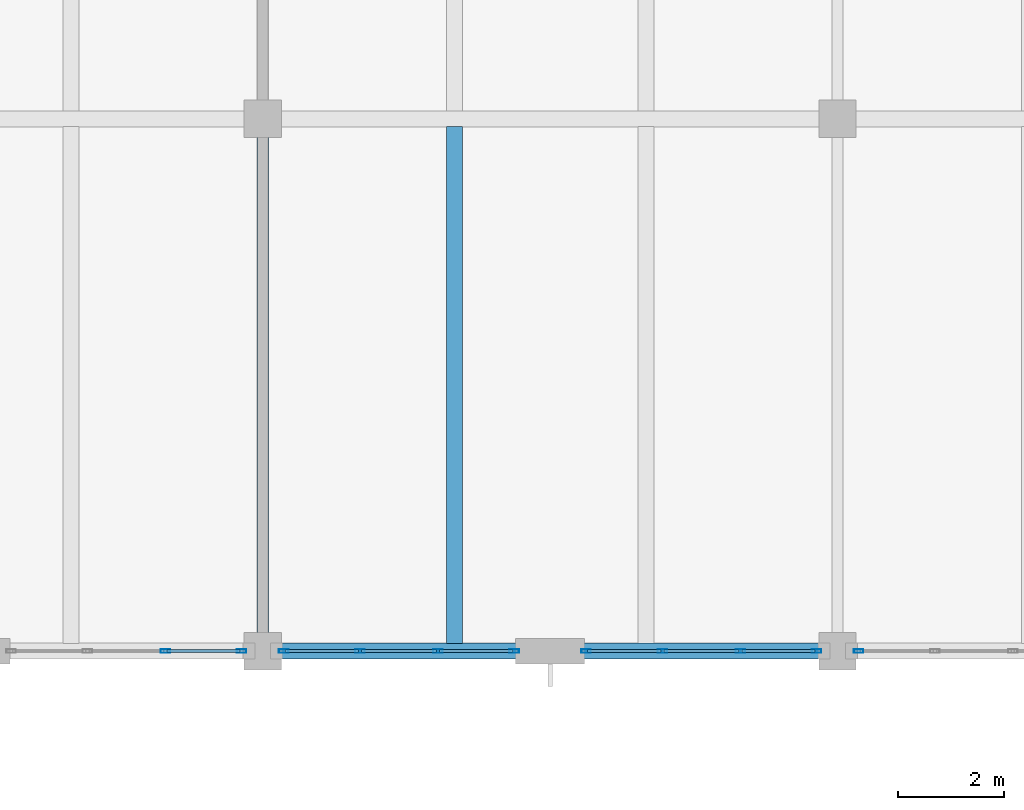
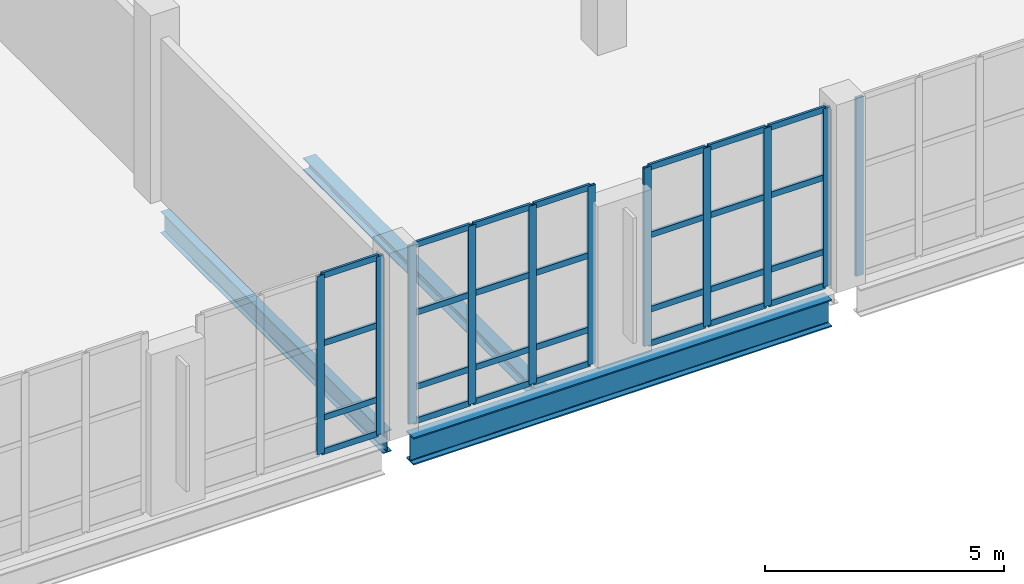
# One storey, part 46 of 92: 39 members, 3 beams, 4 elements without a shape of their own.
"""IFC4 building model written with IfcOpenShell, lengths in metres."""

from ifc_helpers import new_model, si_unit, direction, frame, origin, origin_2d, place, context, subcontext, project, spatial, hollow_rectangle, i_section, extrude, material, layer, layer_set, material_profile, profile_set, type_object, element, aggregate, save


model = new_model("IFC4")

# Units and contexts
model_context = context("Model", 3, precision=1e-05, world=origin(), true_north=direction((0.0, 1.0)))
body_context = subcontext(model_context, "Body", "Model", "MODEL_VIEW")
ifc_project = project(units=[si_unit("LENGTHUNIT", "METRE"), si_unit("AREAUNIT", "SQUARE_METRE"), si_unit("VOLUMEUNIT", "CUBIC_METRE"), si_unit("PLANEANGLEUNIT", "RADIAN"), si_unit("MASSUNIT", "GRAM", prefix="KILO")], contexts=[model_context])

# Site, building, storey
site_placement = place(None, origin())
site = spatial("IfcSite", under=ifc_project, at=site_placement, CompositionType="ELEMENT")
building_placement = place(site_placement, origin())
building = spatial("IfcBuilding", under=site, at=building_placement, Name="Tasgan Crest Museum", CompositionType="ELEMENT")
storey_placement = place(building_placement, frame((0.0, 0.0, 4.800048828125)))
storey = spatial("IfcBuildingStorey", under=building, at=storey_placement, Name="L01", CompositionType="ELEMENT", Elevation=4.800048828125)

# Beams
ifc_material_1 = material(Name="Steel S355K2", Category="steel")
ifc_material_profile_1 = material_profile(ifc_material_1, i_section(OverallWidth=0.300048828125, OverallDepth=0.699951171875, WebThickness=0.01708984375, FlangeThickness=0.031982421875, FilletRadius=0.027099609375, at=origin_2d()), Name="HEB 700")
ifc_profile_set_1 = profile_set([ifc_material_profile_1], Name="Steel S355K2")
beam_type_1 = type_object("IfcBeamType", Name="BM-G-HEB700", PredefinedType="BEAM", material=ifc_profile_set_1)
beam_1_placement = place(storey_placement, frame((129.946044921875, 10.0, -0.630126953125), z_axis=(1.0, 0.0, 0.0), x_axis=(0.0, 1.0, 0.0)))
element("IfcBeam", 1, at=beam_1_placement, inside=storey, type_object=beam_type_1, Name="Girder L01 B 129.6-140.4", PredefinedType="BEAM", context=body_context, shape_type="SweptSolid", body=[
    extrude(i_section(OverallWidth=0.300048828125, OverallDepth=0.699951171875, WebThickness=0.01708984375, FlangeThickness=0.031982421875, FilletRadius=0.027099609375, at=origin_2d()), origin(), (0.0, 0.0, 1.0), 10.10791015625),
])
ifc_material_2 = material(Name="Steel S355J2", Category="steel")
ifc_material_profile_2 = material_profile(ifc_material_2, i_section(OverallWidth=0.2099609375, OverallDepth=0.550048828125, WebThickness=0.010986328125, FlangeThickness=0.01708984375, FilletRadius=0.02392578125, at=origin_2d()), Name="IPE 550")
ifc_profile_set_2 = profile_set([ifc_material_profile_2], Name="Steel S355J2")
beam_type_2 = type_object("IfcBeamType", Name="BM-G-IPE550", PredefinedType="BEAM", material=ifc_profile_set_2)
beam_2_placement = place(storey_placement, frame((129.60009765625, 10.344970703125, -0.554931640625), z_axis=(0.0, 1.0, 0.0), x_axis=(-1.0, 0.0, 0.0)))
element("IfcBeam", 2, at=beam_2_placement, inside=storey, type_object=beam_type_2, Name="Beam L01 13 10.0-20.0", PredefinedType="BEAM", context=body_context, shape_type="SweptSolid", body=[
    extrude(i_section(OverallWidth=0.2099609375, OverallDepth=0.550048828125, WebThickness=0.010986328125, FlangeThickness=0.01708984375, FilletRadius=0.02392578125, at=origin_2d()), origin(), (0.0, 0.0, 1.0), 9.31005859375),
])
ifc_material_3 = material(Name="Steel S355J2", Category="steel")
ifc_material_profile_3 = material_profile(ifc_material_3, i_section(OverallWidth=0.300048828125, OverallDepth=0.31005859375, WebThickness=0.009033203125, FlangeThickness=0.015380859375, FilletRadius=0.027099609375, at=origin_2d()), Name="HEA 320")
ifc_profile_set_3 = profile_set([ifc_material_profile_3], Name="Steel S355J2")
beam_type_3 = type_object("IfcBeamType", Name="BM-J-HEA320", PredefinedType="JOIST", material=ifc_profile_set_3)
beam_3_placement = place(storey_placement, frame((133.199951171875, 10.14501953125, -0.43505859375), z_axis=(0.0, 1.0, 0.0), x_axis=(-1.0, 0.0, 0.0)))
element("IfcBeam", 3, at=beam_3_placement, inside=storey, type_object=beam_type_3, Name="Secondary joist L01 X=133.2 Y=10.0-20.0", PredefinedType="JOIST", context=body_context, shape_type="SweptSolid", body=[
    extrude(i_section(OverallWidth=0.300048828125, OverallDepth=0.31005859375, WebThickness=0.009033203125, FlangeThickness=0.015380859375, FilletRadius=0.027099609375, at=origin_2d()), origin(), (0.0, 0.0, 1.0), 9.7099609375),
])

# Curtain wall, members
ifc_material_4 = material(Name="Triple-Glazed Aluminium Curtain Wall", Category="aluminium")
ifc_layer = layer(ifc_material_4, 0.179931640625, Name="CW-PORCH-X")
ifc_layer_set = layer_set([ifc_layer], Name="Triple-Glazed Aluminium Curtain Wall")
curtain_wall_type = type_object("IfcCurtainWallType", Name="CW-PORCH-X", PredefinedType="NOTDEFINED", material=ifc_layer_set)
curtain_wall_1_placement = place(storey_placement, origin())
curtain_wall_1 = element("IfcCurtainWall", 4, at=curtain_wall_1_placement, inside=storey, type_object=curtain_wall_type, Name="Curtain wall L01 046", PredefinedType="NOTDEFINED")
ifc_material_5 = material(Name="Anodised Aluminium", Category="aluminium")
ifc_material_profile_4 = material_profile(ifc_material_5, hollow_rectangle(XDim=0.06494140625, YDim=0.179931640625, WallThickness=0.0048828125, at=origin_2d()), Name="ALU MULLION 180x65x5")
ifc_profile_set_4 = profile_set([ifc_material_profile_4], Name="Anodised Aluminium")
member_type_1 = type_object("IfcMemberType", Name="CW-MULLION-180", PredefinedType="MULLION", material=ifc_profile_set_4)
member_1_placement = place(storey_placement, frame((127.771728515625, 10.0, 0.0), z_axis=(0.0, 0.0, 1.0), x_axis=(0.0, 1.0, 0.0)))
member_1 = element("IfcMember", 5, at=member_1_placement, type_object=member_type_1, Name="CW01 mullion 3", PredefinedType="MULLION", context=body_context, shape_type="SweptSolid", body=[
    extrude(hollow_rectangle(XDim=0.06494140625, YDim=0.179931640625, WallThickness=0.0048828125, at=origin_2d()), origin(), (0.0, 0.0, 1.0), 4.56005859375),
])
member_2_placement = place(storey_placement, frame((129.205078125, 10.0, 0.0), z_axis=(0.0, 0.0, 1.0), x_axis=(0.0, 1.0, 0.0)))
member_2 = element("IfcMember", 6, at=member_2_placement, type_object=member_type_1, Name="CW01 mullion 4", PredefinedType="MULLION", context=body_context, shape_type="SweptSolid", body=[
    extrude(hollow_rectangle(XDim=0.06494140625, YDim=0.179931640625, WallThickness=0.0048828125, at=origin_2d()), origin(), (0.0, 0.0, 1.0), 4.56005859375),
])

curtain_wall_2_placement = place(storey_placement, origin())
curtain_wall_2 = element("IfcCurtainWall", 7, at=curtain_wall_2_placement, inside=storey, type_object=curtain_wall_type, Name="Curtain wall L01 047", PredefinedType="NOTDEFINED")
member_3_placement = place(storey_placement, frame((129.9951171875, 10.0, 0.0), z_axis=(0.0, 0.0, 1.0), x_axis=(0.0, 1.0, 0.0)))
member_3 = element("IfcMember", 8, at=member_3_placement, type_object=member_type_1, Name="CW01 mullion 1", PredefinedType="MULLION", context=body_context, shape_type="SweptSolid", body=[
    extrude(hollow_rectangle(XDim=0.06494140625, YDim=0.179931640625, WallThickness=0.0048828125, at=origin_2d()), origin(), (0.0, 0.0, 1.0), 4.56005859375),
])
member_4_placement = place(storey_placement, frame((131.42822265625, 10.0, 0.0), z_axis=(0.0, 0.0, 1.0), x_axis=(0.0, 1.0, 0.0)))
member_4 = element("IfcMember", 9, at=member_4_placement, type_object=member_type_1, Name="CW01 mullion 2", PredefinedType="MULLION", context=body_context, shape_type="SweptSolid", body=[
    extrude(hollow_rectangle(XDim=0.06494140625, YDim=0.179931640625, WallThickness=0.0048828125, at=origin_2d()), origin(), (0.0, 0.0, 1.0), 4.56005859375),
])
member_5_placement = place(storey_placement, frame((132.8916015625, 10.0, 0.0), z_axis=(0.0, 0.0, 1.0), x_axis=(0.0, 1.0, 0.0)))
member_5 = element("IfcMember", 10, at=member_5_placement, type_object=member_type_1, Name="CW01 mullion 3", PredefinedType="MULLION", context=body_context, shape_type="SweptSolid", body=[
    extrude(hollow_rectangle(XDim=0.06494140625, YDim=0.179931640625, WallThickness=0.0048828125, at=origin_2d()), origin(), (0.0, 0.0, 1.0), 4.56005859375),
])
member_6_placement = place(storey_placement, frame((134.324951171875, 10.0, 0.0), z_axis=(0.0, 0.0, 1.0), x_axis=(0.0, 1.0, 0.0)))
member_6 = element("IfcMember", 11, at=member_6_placement, type_object=member_type_1, Name="CW01 mullion 4", PredefinedType="MULLION", context=body_context, shape_type="SweptSolid", body=[
    extrude(hollow_rectangle(XDim=0.06494140625, YDim=0.179931640625, WallThickness=0.0048828125, at=origin_2d()), origin(), (0.0, 0.0, 1.0), 4.56005859375),
])

curtain_wall_3_placement = place(storey_placement, origin())
curtain_wall_3 = element("IfcCurtainWall", 12, at=curtain_wall_3_placement, inside=storey, type_object=curtain_wall_type, Name="Curtain wall L01 048", PredefinedType="NOTDEFINED")
member_7_placement = place(storey_placement, frame((135.675048828125, 10.0, 0.0), z_axis=(0.0, 0.0, 1.0), x_axis=(0.0, 1.0, 0.0)))
member_7 = element("IfcMember", 13, at=member_7_placement, type_object=member_type_1, Name="CW01 mullion 1", PredefinedType="MULLION", context=body_context, shape_type="SweptSolid", body=[
    extrude(hollow_rectangle(XDim=0.06494140625, YDim=0.179931640625, WallThickness=0.0048828125, at=origin_2d()), origin(), (0.0, 0.0, 1.0), 4.56005859375),
])
member_8_placement = place(storey_placement, frame((137.1083984375, 10.0, 0.0), z_axis=(0.0, 0.0, 1.0), x_axis=(0.0, 1.0, 0.0)))
member_8 = element("IfcMember", 14, at=member_8_placement, type_object=member_type_1, Name="CW01 mullion 2", PredefinedType="MULLION", context=body_context, shape_type="SweptSolid", body=[
    extrude(hollow_rectangle(XDim=0.06494140625, YDim=0.179931640625, WallThickness=0.0048828125, at=origin_2d()), origin(), (0.0, 0.0, 1.0), 4.56005859375),
])
member_9_placement = place(storey_placement, frame((138.57177734375, 10.0, 0.0), z_axis=(0.0, 0.0, 1.0), x_axis=(0.0, 1.0, 0.0)))
member_9 = element("IfcMember", 15, at=member_9_placement, type_object=member_type_1, Name="CW01 mullion 3", PredefinedType="MULLION", context=body_context, shape_type="SweptSolid", body=[
    extrude(hollow_rectangle(XDim=0.06494140625, YDim=0.179931640625, WallThickness=0.0048828125, at=origin_2d()), origin(), (0.0, 0.0, 1.0), 4.56005859375),
])
member_10_placement = place(storey_placement, frame((140.0048828125, 10.0, 0.0), z_axis=(0.0, 0.0, 1.0), x_axis=(0.0, 1.0, 0.0)))
member_10 = element("IfcMember", 16, at=member_10_placement, type_object=member_type_1, Name="CW01 mullion 4", PredefinedType="MULLION", context=body_context, shape_type="SweptSolid", body=[
    extrude(hollow_rectangle(XDim=0.06494140625, YDim=0.179931640625, WallThickness=0.0048828125, at=origin_2d()), origin(), (0.0, 0.0, 1.0), 4.56005859375),
])

# Curtain wall, member
curtain_wall_4_placement = place(storey_placement, origin())
curtain_wall_4 = element("IfcCurtainWall", 17, at=curtain_wall_4_placement, inside=storey, type_object=curtain_wall_type, Name="Curtain wall L01 049", PredefinedType="NOTDEFINED")
member_11_placement = place(storey_placement, frame((140.794921875, 10.0, 0.0), z_axis=(0.0, 0.0, 1.0), x_axis=(0.0, 1.0, 0.0)))
member_11 = element("IfcMember", 18, at=member_11_placement, type_object=member_type_1, Name="CW01 mullion 1", PredefinedType="MULLION", context=body_context, shape_type="SweptSolid", body=[
    extrude(hollow_rectangle(XDim=0.06494140625, YDim=0.179931640625, WallThickness=0.0048828125, at=origin_2d()), origin(), (0.0, 0.0, 1.0), 4.56005859375),
])
aggregate(curtain_wall_4, [member_11])

# Member
ifc_material_6 = material(Name="Anodised Aluminium", Category="aluminium")
ifc_material_profile_5 = material_profile(ifc_material_6, hollow_rectangle(XDim=0.06005859375, YDim=0.14990234375, WallThickness=0.0048828125, at=origin_2d()), Name="ALU TRANSOM 150x60x5")
ifc_profile_set_5 = profile_set([ifc_material_profile_5], Name="Anodised Aluminium")
member_type_2 = type_object("IfcMemberType", Name="CW-TRANSOM-150", PredefinedType="USERDEFINED", material=ifc_profile_set_5)
member_12_placement = place(storey_placement, frame((127.8017578125, 10.0, 0.030029296875), z_axis=(1.0, 0.0, 0.0), x_axis=(0.0, 1.0, 0.0)))
member_12 = element("IfcMember", 19, at=member_12_placement, type_object=member_type_2, Name="CW01 transom 3.1", ObjectType="TRANSOM", PredefinedType="USERDEFINED", context=body_context, shape_type="SweptSolid", body=[
    extrude(hollow_rectangle(XDim=0.06005859375, YDim=0.14990234375, WallThickness=0.0048828125, at=origin_2d()), origin(), (0.0, 0.0, 1.0), 1.373291015625),
])

member_13_placement = place(storey_placement, frame((127.8017578125, 10.0, 0.89990234375), z_axis=(1.0, 0.0, 0.0), x_axis=(0.0, 1.0, 0.0)))
member_13 = element("IfcMember", 20, at=member_13_placement, type_object=member_type_2, Name="CW01 transom 3.2", ObjectType="TRANSOM", PredefinedType="USERDEFINED", context=body_context, shape_type="SweptSolid", body=[
    extrude(hollow_rectangle(XDim=0.06005859375, YDim=0.14990234375, WallThickness=0.0048828125, at=origin_2d()), origin(), (0.0, 0.0, 1.0), 1.373291015625),
])

member_14_placement = place(storey_placement, frame((127.8017578125, 10.0, 2.800048828125), z_axis=(1.0, 0.0, 0.0), x_axis=(0.0, 1.0, 0.0)))
member_14 = element("IfcMember", 21, at=member_14_placement, type_object=member_type_2, Name="CW01 transom 3.3", ObjectType="TRANSOM", PredefinedType="USERDEFINED", context=body_context, shape_type="SweptSolid", body=[
    extrude(hollow_rectangle(XDim=0.06005859375, YDim=0.14990234375, WallThickness=0.0048828125, at=origin_2d()), origin(), (0.0, 0.0, 1.0), 1.373291015625),
])

member_15_placement = place(storey_placement, frame((127.8017578125, 10.0, 4.530029296875), z_axis=(1.0, 0.0, 0.0), x_axis=(0.0, 1.0, 0.0)))
member_15 = element("IfcMember", 22, at=member_15_placement, type_object=member_type_2, Name="CW01 transom 3.4", ObjectType="TRANSOM", PredefinedType="USERDEFINED", context=body_context, shape_type="SweptSolid", body=[
    extrude(hollow_rectangle(XDim=0.06005859375, YDim=0.14990234375, WallThickness=0.0048828125, at=origin_2d()), origin(), (0.0, 0.0, 1.0), 1.373291015625),
])

aggregate(curtain_wall_1, [member_1, member_2, member_12, member_13, member_14, member_15])

member_16_placement = place(storey_placement, frame((130.02490234375, 10.0, 0.030029296875), z_axis=(1.0, 0.0, 0.0), x_axis=(0.0, 1.0, 0.0)))
member_16 = element("IfcMember", 23, at=member_16_placement, type_object=member_type_2, Name="CW01 transom 1.1", ObjectType="TRANSOM", PredefinedType="USERDEFINED", context=body_context, shape_type="SweptSolid", body=[
    extrude(hollow_rectangle(XDim=0.06005859375, YDim=0.14990234375, WallThickness=0.0048828125, at=origin_2d()), origin(), (0.0, 0.0, 1.0), 1.37353515625),
])

member_17_placement = place(storey_placement, frame((130.02490234375, 10.0, 0.89990234375), z_axis=(1.0, 0.0, 0.0), x_axis=(0.0, 1.0, 0.0)))
member_17 = element("IfcMember", 24, at=member_17_placement, type_object=member_type_2, Name="CW01 transom 1.2", ObjectType="TRANSOM", PredefinedType="USERDEFINED", context=body_context, shape_type="SweptSolid", body=[
    extrude(hollow_rectangle(XDim=0.06005859375, YDim=0.14990234375, WallThickness=0.0048828125, at=origin_2d()), origin(), (0.0, 0.0, 1.0), 1.37353515625),
])

member_18_placement = place(storey_placement, frame((130.02490234375, 10.0, 2.800048828125), z_axis=(1.0, 0.0, 0.0), x_axis=(0.0, 1.0, 0.0)))
member_18 = element("IfcMember", 25, at=member_18_placement, type_object=member_type_2, Name="CW01 transom 1.3", ObjectType="TRANSOM", PredefinedType="USERDEFINED", context=body_context, shape_type="SweptSolid", body=[
    extrude(hollow_rectangle(XDim=0.06005859375, YDim=0.14990234375, WallThickness=0.0048828125, at=origin_2d()), origin(), (0.0, 0.0, 1.0), 1.37353515625),
])

member_19_placement = place(storey_placement, frame((130.02490234375, 10.0, 4.530029296875), z_axis=(1.0, 0.0, 0.0), x_axis=(0.0, 1.0, 0.0)))
member_19 = element("IfcMember", 26, at=member_19_placement, type_object=member_type_2, Name="CW01 transom 1.4", ObjectType="TRANSOM", PredefinedType="USERDEFINED", context=body_context, shape_type="SweptSolid", body=[
    extrude(hollow_rectangle(XDim=0.06005859375, YDim=0.14990234375, WallThickness=0.0048828125, at=origin_2d()), origin(), (0.0, 0.0, 1.0), 1.37353515625),
])

member_20_placement = place(storey_placement, frame((131.458251953125, 10.0, 0.030029296875), z_axis=(1.0, 0.0, 0.0), x_axis=(0.0, 1.0, 0.0)))
member_20 = element("IfcMember", 27, at=member_20_placement, type_object=member_type_2, Name="CW01 transom 2.1", ObjectType="TRANSOM", PredefinedType="USERDEFINED", context=body_context, shape_type="SweptSolid", body=[
    extrude(hollow_rectangle(XDim=0.06005859375, YDim=0.14990234375, WallThickness=0.0048828125, at=origin_2d()), origin(), (0.0, 0.0, 1.0), 1.4033203125),
])

member_21_placement = place(storey_placement, frame((131.458251953125, 10.0, 0.89990234375), z_axis=(1.0, 0.0, 0.0), x_axis=(0.0, 1.0, 0.0)))
member_21 = element("IfcMember", 28, at=member_21_placement, type_object=member_type_2, Name="CW01 transom 2.2", ObjectType="TRANSOM", PredefinedType="USERDEFINED", context=body_context, shape_type="SweptSolid", body=[
    extrude(hollow_rectangle(XDim=0.06005859375, YDim=0.14990234375, WallThickness=0.0048828125, at=origin_2d()), origin(), (0.0, 0.0, 1.0), 1.4033203125),
])

member_22_placement = place(storey_placement, frame((131.458251953125, 10.0, 2.800048828125), z_axis=(1.0, 0.0, 0.0), x_axis=(0.0, 1.0, 0.0)))
member_22 = element("IfcMember", 29, at=member_22_placement, type_object=member_type_2, Name="CW01 transom 2.3", ObjectType="TRANSOM", PredefinedType="USERDEFINED", context=body_context, shape_type="SweptSolid", body=[
    extrude(hollow_rectangle(XDim=0.06005859375, YDim=0.14990234375, WallThickness=0.0048828125, at=origin_2d()), origin(), (0.0, 0.0, 1.0), 1.4033203125),
])

member_23_placement = place(storey_placement, frame((131.458251953125, 10.0, 4.530029296875), z_axis=(1.0, 0.0, 0.0), x_axis=(0.0, 1.0, 0.0)))
member_23 = element("IfcMember", 30, at=member_23_placement, type_object=member_type_2, Name="CW01 transom 2.4", ObjectType="TRANSOM", PredefinedType="USERDEFINED", context=body_context, shape_type="SweptSolid", body=[
    extrude(hollow_rectangle(XDim=0.06005859375, YDim=0.14990234375, WallThickness=0.0048828125, at=origin_2d()), origin(), (0.0, 0.0, 1.0), 1.4033203125),
])

member_24_placement = place(storey_placement, frame((132.921630859375, 10.0, 0.030029296875), z_axis=(1.0, 0.0, 0.0), x_axis=(0.0, 1.0, 0.0)))
member_24 = element("IfcMember", 31, at=member_24_placement, type_object=member_type_2, Name="CW01 transom 3.1", ObjectType="TRANSOM", PredefinedType="USERDEFINED", context=body_context, shape_type="SweptSolid", body=[
    extrude(hollow_rectangle(XDim=0.06005859375, YDim=0.14990234375, WallThickness=0.0048828125, at=origin_2d()), origin(), (0.0, 0.0, 1.0), 1.373291015625),
])

member_25_placement = place(storey_placement, frame((132.921630859375, 10.0, 0.89990234375), z_axis=(1.0, 0.0, 0.0), x_axis=(0.0, 1.0, 0.0)))
member_25 = element("IfcMember", 32, at=member_25_placement, type_object=member_type_2, Name="CW01 transom 3.2", ObjectType="TRANSOM", PredefinedType="USERDEFINED", context=body_context, shape_type="SweptSolid", body=[
    extrude(hollow_rectangle(XDim=0.06005859375, YDim=0.14990234375, WallThickness=0.0048828125, at=origin_2d()), origin(), (0.0, 0.0, 1.0), 1.373291015625),
])

member_26_placement = place(storey_placement, frame((132.921630859375, 10.0, 2.800048828125), z_axis=(1.0, 0.0, 0.0), x_axis=(0.0, 1.0, 0.0)))
member_26 = element("IfcMember", 33, at=member_26_placement, type_object=member_type_2, Name="CW01 transom 3.3", ObjectType="TRANSOM", PredefinedType="USERDEFINED", context=body_context, shape_type="SweptSolid", body=[
    extrude(hollow_rectangle(XDim=0.06005859375, YDim=0.14990234375, WallThickness=0.0048828125, at=origin_2d()), origin(), (0.0, 0.0, 1.0), 1.373291015625),
])

member_27_placement = place(storey_placement, frame((132.921630859375, 10.0, 4.530029296875), z_axis=(1.0, 0.0, 0.0), x_axis=(0.0, 1.0, 0.0)))
member_27 = element("IfcMember", 34, at=member_27_placement, type_object=member_type_2, Name="CW01 transom 3.4", ObjectType="TRANSOM", PredefinedType="USERDEFINED", context=body_context, shape_type="SweptSolid", body=[
    extrude(hollow_rectangle(XDim=0.06005859375, YDim=0.14990234375, WallThickness=0.0048828125, at=origin_2d()), origin(), (0.0, 0.0, 1.0), 1.373291015625),
])

aggregate(curtain_wall_2, [member_3, member_4, member_5, member_6, member_16, member_17, member_18, member_19, member_20, member_21, member_22, member_23, member_24, member_25, member_26, member_27])

member_28_placement = place(storey_placement, frame((135.705078125, 10.0, 0.030029296875), z_axis=(1.0, 0.0, 0.0), x_axis=(0.0, 1.0, 0.0)))
member_28 = element("IfcMember", 35, at=member_28_placement, type_object=member_type_2, Name="CW01 transom 1.1", ObjectType="TRANSOM", PredefinedType="USERDEFINED", context=body_context, shape_type="SweptSolid", body=[
    extrude(hollow_rectangle(XDim=0.06005859375, YDim=0.14990234375, WallThickness=0.0048828125, at=origin_2d()), origin(), (0.0, 0.0, 1.0), 1.373291015625),
])

member_29_placement = place(storey_placement, frame((135.705078125, 10.0, 0.89990234375), z_axis=(1.0, 0.0, 0.0), x_axis=(0.0, 1.0, 0.0)))
member_29 = element("IfcMember", 36, at=member_29_placement, type_object=member_type_2, Name="CW01 transom 1.2", ObjectType="TRANSOM", PredefinedType="USERDEFINED", context=body_context, shape_type="SweptSolid", body=[
    extrude(hollow_rectangle(XDim=0.06005859375, YDim=0.14990234375, WallThickness=0.0048828125, at=origin_2d()), origin(), (0.0, 0.0, 1.0), 1.373291015625),
])

member_30_placement = place(storey_placement, frame((135.705078125, 10.0, 2.800048828125), z_axis=(1.0, 0.0, 0.0), x_axis=(0.0, 1.0, 0.0)))
member_30 = element("IfcMember", 37, at=member_30_placement, type_object=member_type_2, Name="CW01 transom 1.3", ObjectType="TRANSOM", PredefinedType="USERDEFINED", context=body_context, shape_type="SweptSolid", body=[
    extrude(hollow_rectangle(XDim=0.06005859375, YDim=0.14990234375, WallThickness=0.0048828125, at=origin_2d()), origin(), (0.0, 0.0, 1.0), 1.373291015625),
])

member_31_placement = place(storey_placement, frame((135.705078125, 10.0, 4.530029296875), z_axis=(1.0, 0.0, 0.0), x_axis=(0.0, 1.0, 0.0)))
member_31 = element("IfcMember", 38, at=member_31_placement, type_object=member_type_2, Name="CW01 transom 1.4", ObjectType="TRANSOM", PredefinedType="USERDEFINED", context=body_context, shape_type="SweptSolid", body=[
    extrude(hollow_rectangle(XDim=0.06005859375, YDim=0.14990234375, WallThickness=0.0048828125, at=origin_2d()), origin(), (0.0, 0.0, 1.0), 1.373291015625),
])

member_32_placement = place(storey_placement, frame((137.138427734375, 10.0, 0.030029296875), z_axis=(1.0, 0.0, 0.0), x_axis=(0.0, 1.0, 0.0)))
member_32 = element("IfcMember", 39, at=member_32_placement, type_object=member_type_2, Name="CW01 transom 2.1", ObjectType="TRANSOM", PredefinedType="USERDEFINED", context=body_context, shape_type="SweptSolid", body=[
    extrude(hollow_rectangle(XDim=0.06005859375, YDim=0.14990234375, WallThickness=0.0048828125, at=origin_2d()), origin(), (0.0, 0.0, 1.0), 1.4033203125),
])

member_33_placement = place(storey_placement, frame((137.138427734375, 10.0, 0.89990234375), z_axis=(1.0, 0.0, 0.0), x_axis=(0.0, 1.0, 0.0)))
member_33 = element("IfcMember", 40, at=member_33_placement, type_object=member_type_2, Name="CW01 transom 2.2", ObjectType="TRANSOM", PredefinedType="USERDEFINED", context=body_context, shape_type="SweptSolid", body=[
    extrude(hollow_rectangle(XDim=0.06005859375, YDim=0.14990234375, WallThickness=0.0048828125, at=origin_2d()), origin(), (0.0, 0.0, 1.0), 1.4033203125),
])

member_34_placement = place(storey_placement, frame((137.138427734375, 10.0, 2.800048828125), z_axis=(1.0, 0.0, 0.0), x_axis=(0.0, 1.0, 0.0)))
member_34 = element("IfcMember", 41, at=member_34_placement, type_object=member_type_2, Name="CW01 transom 2.3", ObjectType="TRANSOM", PredefinedType="USERDEFINED", context=body_context, shape_type="SweptSolid", body=[
    extrude(hollow_rectangle(XDim=0.06005859375, YDim=0.14990234375, WallThickness=0.0048828125, at=origin_2d()), origin(), (0.0, 0.0, 1.0), 1.4033203125),
])

member_35_placement = place(storey_placement, frame((137.138427734375, 10.0, 4.530029296875), z_axis=(1.0, 0.0, 0.0), x_axis=(0.0, 1.0, 0.0)))
member_35 = element("IfcMember", 42, at=member_35_placement, type_object=member_type_2, Name="CW01 transom 2.4", ObjectType="TRANSOM", PredefinedType="USERDEFINED", context=body_context, shape_type="SweptSolid", body=[
    extrude(hollow_rectangle(XDim=0.06005859375, YDim=0.14990234375, WallThickness=0.0048828125, at=origin_2d()), origin(), (0.0, 0.0, 1.0), 1.4033203125),
])

member_36_placement = place(storey_placement, frame((138.6015625, 10.0, 0.030029296875), z_axis=(1.0, 0.0, 0.0), x_axis=(0.0, 1.0, 0.0)))
member_36 = element("IfcMember", 43, at=member_36_placement, type_object=member_type_2, Name="CW01 transom 3.1", ObjectType="TRANSOM", PredefinedType="USERDEFINED", context=body_context, shape_type="SweptSolid", body=[
    extrude(hollow_rectangle(XDim=0.06005859375, YDim=0.14990234375, WallThickness=0.0048828125, at=origin_2d()), origin(), (0.0, 0.0, 1.0), 1.37353515625),
])

member_37_placement = place(storey_placement, frame((138.6015625, 10.0, 0.89990234375), z_axis=(1.0, 0.0, 0.0), x_axis=(0.0, 1.0, 0.0)))
member_37 = element("IfcMember", 44, at=member_37_placement, type_object=member_type_2, Name="CW01 transom 3.2", ObjectType="TRANSOM", PredefinedType="USERDEFINED", context=body_context, shape_type="SweptSolid", body=[
    extrude(hollow_rectangle(XDim=0.06005859375, YDim=0.14990234375, WallThickness=0.0048828125, at=origin_2d()), origin(), (0.0, 0.0, 1.0), 1.37353515625),
])

member_38_placement = place(storey_placement, frame((138.6015625, 10.0, 2.800048828125), z_axis=(1.0, 0.0, 0.0), x_axis=(0.0, 1.0, 0.0)))
member_38 = element("IfcMember", 45, at=member_38_placement, type_object=member_type_2, Name="CW01 transom 3.3", ObjectType="TRANSOM", PredefinedType="USERDEFINED", context=body_context, shape_type="SweptSolid", body=[
    extrude(hollow_rectangle(XDim=0.06005859375, YDim=0.14990234375, WallThickness=0.0048828125, at=origin_2d()), origin(), (0.0, 0.0, 1.0), 1.37353515625),
])

member_39_placement = place(storey_placement, frame((138.6015625, 10.0, 4.530029296875), z_axis=(1.0, 0.0, 0.0), x_axis=(0.0, 1.0, 0.0)))
member_39 = element("IfcMember", 46, at=member_39_placement, type_object=member_type_2, Name="CW01 transom 3.4", ObjectType="TRANSOM", PredefinedType="USERDEFINED", context=body_context, shape_type="SweptSolid", body=[
    extrude(hollow_rectangle(XDim=0.06005859375, YDim=0.14990234375, WallThickness=0.0048828125, at=origin_2d()), origin(), (0.0, 0.0, 1.0), 1.37353515625),
])

aggregate(curtain_wall_3, [member_7, member_8, member_9, member_10, member_28, member_29, member_30, member_31, member_32, member_33, member_34, member_35, member_36, member_37, member_38, member_39])

save(model, "model.ifc")
